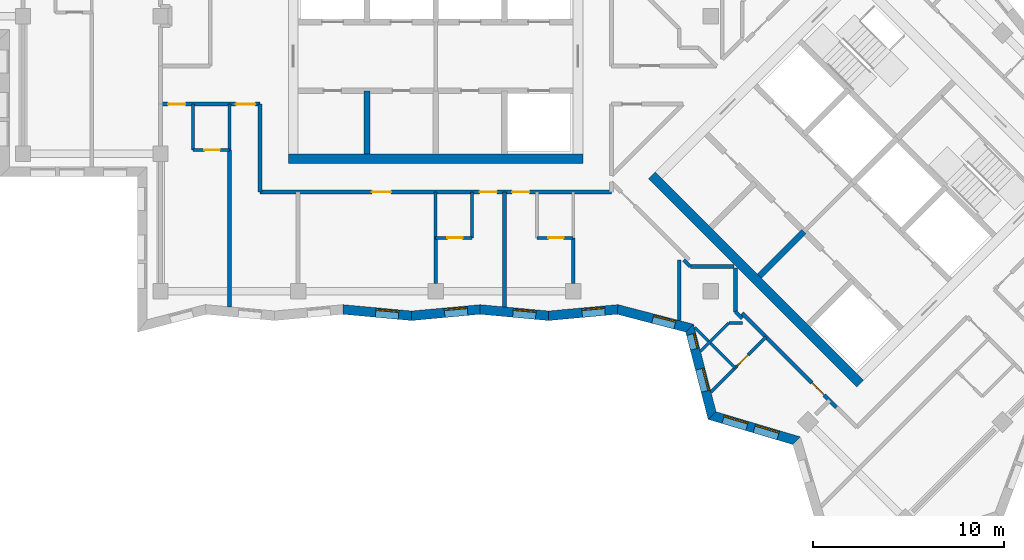
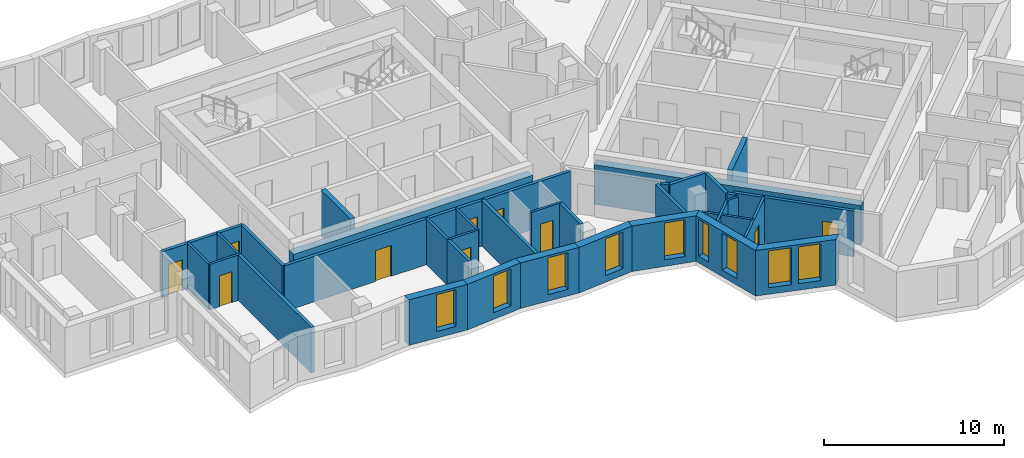
# One storey, part 3 of 11: 35 walls, 10 doors, 9 windows, 19 openings.
"""IFC4 building model written with IfcOpenShell, lengths in metres."""

import ifcopenshell
import ifcopenshell.guid

model = None  # the IFC model being written
_history = None  # IfcOwnerHistory: only IFC2X3 demands one
_inside = {}  # id of a spatial element -> (the spatial element, [elements in it])
_under = {}  # id of a project, library or spatial element -> (it, [spatial elements below it])
_declared = {}  # id of a project -> (the project, [libraries it declares])
_typed = {}  # id of a type object -> (the type object, [elements of that type])
_made_of = {}  # id of a material, layer set ... -> (it, [elements and type objects made of it])


def new_model(schema):
    """Start an empty IFC model of exactly this schema.

    Asked for "IFC4X3", IfcOpenShell would pick the latest addendum, in which some entities
    have other attributes; the version numbers below select the first issue.
    IFC2X3 requires an IfcOwnerHistory on every rooted entity: one is made here for all.
    """
    global model, _history
    if schema == "IFC4X3":
        model = ifcopenshell.file(schema_version=(4, 3, 0, 0))
    else:
        model = ifcopenshell.file(schema=schema)
    _inside.clear()
    _under.clear()
    _declared.clear()
    _typed.clear()
    _made_of.clear()
    _history = None
    if model.schema == "IFC2X3":
        org = make("IfcOrganization", Name="unknown")
        user = make(
            "IfcPersonAndOrganization",
            ThePerson=make("IfcPerson", FamilyName="unknown"),
            TheOrganization=org,
        )
        app = make(
            "IfcApplication",
            ApplicationDeveloper=org,
            Version="unknown",
            ApplicationFullName="unknown",
            ApplicationIdentifier="unknown",
        )
        _history = make(
            "IfcOwnerHistory",
            OwningUser=user,
            OwningApplication=app,
            ChangeAction="ADDED",
            CreationDate=0,
        )
    return model


def make(cls, **values):
    """One entity of the class cls with the attributes given. An attribute that is None is left unset."""
    return model.create_entity(
        cls, **{name: value for name, value in values.items() if value is not None}
    )


def rooted(cls, **values):
    """An entity with a GlobalId (a new one), such as an element, a storey or a relation."""
    return make(cls, GlobalId=ifcopenshell.guid.new(), OwnerHistory=_history, **values)


def si_unit(unit_type, name, prefix=None):
    """IfcSIUnit, for example si_unit("LENGTHUNIT", "METRE", prefix="MILLI")."""
    return make("IfcSIUnit", UnitType=unit_type, Prefix=prefix, Name=name)


def assignment(units):
    """IfcUnitAssignment: the units of a project."""
    return None if units is None else make("IfcUnitAssignment", Units=units)


def point(xyz):
    """IfcCartesianPoint."""
    return None if xyz is None else make("IfcCartesianPoint", Coordinates=xyz)


def direction(xyz):
    """IfcDirection."""
    return None if xyz is None else make("IfcDirection", DirectionRatios=xyz)


def frame(location, z_axis=None, x_axis=None):
    """IfcAxis2Placement3D, a coordinate frame: its origin and axes. An axis left out is left unset."""
    return make(
        "IfcAxis2Placement3D",
        Location=point(location),
        Axis=direction(z_axis),
        RefDirection=direction(x_axis),
    )


def frame_2d(location, x_axis=None):
    """IfcAxis2Placement2D, a coordinate frame in the plane: its origin and x axis."""
    return make(
        "IfcAxis2Placement2D", Location=point(location), RefDirection=direction(x_axis)
    )


def origin():
    """The frame at (0, 0, 0) with its axes left unset."""
    return frame((0.0, 0.0, 0.0))


def place(relative_to, where):
    """IfcLocalPlacement: puts the frame where relative to a parent placement (None: the world)."""
    return make(
        "IfcLocalPlacement", PlacementRelTo=relative_to, RelativePlacement=where
    )


def context(
    kind, dimensions, precision=None, world=None, true_north=None, identifier=None
):
    """IfcGeometricRepresentationContext, for example the 3D "Model" context."""
    return make(
        "IfcGeometricRepresentationContext",
        ContextIdentifier=identifier,
        ContextType=kind,
        CoordinateSpaceDimension=dimensions,
        Precision=precision,
        WorldCoordinateSystem=world,
        TrueNorth=true_north,
    )


def subcontext(parent, identifier, kind, view, scale=None):
    """IfcGeometricRepresentationSubContext, for example "Body" below "Model"."""
    return make(
        "IfcGeometricRepresentationSubContext",
        ContextIdentifier=identifier,
        ContextType=kind,
        ParentContext=parent,
        TargetScale=scale,
        TargetView=view,
    )


def project(units=None, contexts=None):
    """IfcProject with its units and contexts."""
    return rooted(
        "IfcProject",
        Name="project",
        RepresentationContexts=contexts,
        UnitsInContext=assignment(units),
    )


def spatial(cls, under=None, at=None, **own):
    """A site, building, storey or space (cls), placed at a placement, below another one or the project."""
    s = rooted(cls, ObjectPlacement=at, **own)
    if under is not None:
        _under.setdefault(under.id(), (under, []))[1].append(s)
    return s


def polyline(points):
    """IfcPolyline through the points."""
    return make("IfcPolyline", Points=[point(p) for p in points])


def profile(cls, at=None, kind="AREA", **sizes):
    """A parametric profile (cls). Its sizes go by their IFC names, for example OverallWidth=200.0."""
    return make(cls, ProfileType=kind, Position=at, **sizes)


def rectangle(**sizes):
    """IfcRectangleProfileDef."""
    return profile("IfcRectangleProfileDef", **sizes)


def outline(outer, holes=None, kind="AREA"):
    """IfcArbitraryClosedProfileDef: a profile drawn as a closed curve; with holes, ...WithVoids."""
    if holes is None:
        return make("IfcArbitraryClosedProfileDef", ProfileType=kind, OuterCurve=outer)
    return make(
        "IfcArbitraryProfileDefWithVoids",
        ProfileType=kind,
        OuterCurve=outer,
        InnerCurves=holes,
    )


def extrude(swept, where, along, depth):
    """IfcExtrudedAreaSolid: the profile swept, set in the frame where, extruded along a direction by depth."""
    return make(
        "IfcExtrudedAreaSolid",
        SweptArea=swept,
        Position=where,
        ExtrudedDirection=direction(along),
        Depth=depth,
    )


def shape(context_of_items, identifier, shape_type, items):
    """IfcShapeRepresentation: the items that make up one representation, for example the "Body"."""
    return make(
        "IfcShapeRepresentation",
        ContextOfItems=context_of_items,
        RepresentationIdentifier=identifier,
        RepresentationType=shape_type,
        Items=items,
    )


def material(Name=None, Category=None):
    """IfcMaterial."""
    return make("IfcMaterial", Name=Name, Category=Category)


def layer(
    of_material, thickness, ventilated=None, Name=None, Category=None, Priority=None
):
    """IfcMaterialLayer: one layer of a wall or slab, of a material (None: an air gap)."""
    return make(
        "IfcMaterialLayer",
        Material=of_material,
        LayerThickness=thickness,
        IsVentilated=ventilated,
        Name=Name,
        Category=Category,
        Priority=Priority,
    )


def layer_set(layers, Name=None):
    """IfcMaterialLayerSet."""
    return make("IfcMaterialLayerSet", MaterialLayers=layers, LayerSetName=Name)


def made_of(thing, what):
    """Note that an element or type object is made of a material, layer set ...; save() writes the relation."""
    if what is not None:
        _made_of.setdefault(what.id(), (what, []))[1].append(thing)
    return thing


def type_object(cls, material=None, **own):
    """A type object (cls), such as IfcWallType, which elements share."""
    return made_of(rooted(cls, **own), material)


def element(
    cls,
    number,
    at=None,
    inside=None,
    cuts=None,
    type_object=None,
    material=None,
    context=None,
    identifier="Body",
    shape_type=None,
    held_by="IfcProductDefinitionShape",
    body=None,
    shapes=None,
    **own,
):
    """One element of the class cls, such as IfcWall. Its Tag is "e" and its number.

    at: its placement. inside: the storey or other place that contains it. cuts: it is an
    opening in that element (IfcRelVoidsElement). A single representation is given by context,
    identifier, shape_type and body (its items); several are given by shapes. held_by: the class
    of the entity that holds the representations. save() writes the other relations.
    """
    e = rooted(cls, Tag="e%d" % number, ObjectPlacement=at, **own)
    if body is not None:
        shapes = [shape(context, identifier, shape_type, body)]
    if shapes is not None:
        e.Representation = make(held_by, Representations=shapes)
    if inside is not None:
        _inside.setdefault(inside.id(), (inside, []))[1].append(e)
    if cuts is not None:
        rooted(
            "IfcRelVoidsElement", RelatingBuildingElement=cuts, RelatedOpeningElement=e
        )
    if type_object is not None:
        _typed.setdefault(type_object.id(), (type_object, []))[1].append(e)
    return made_of(e, material)


def fill(opening, filler):
    """IfcRelFillsElement: the door or window that sits in an opening."""
    return rooted(
        "IfcRelFillsElement",
        RelatingOpeningElement=opening,
        RelatedBuildingElement=filler,
    )


def aggregate(whole, parts):
    """IfcRelAggregates: a whole, such as a stair, and the parts it consists of."""
    return rooted("IfcRelAggregates", RelatingObject=whole, RelatedObjects=parts)


def save(model, path):
    """Write the relations noted so far, then the file.

    IfcRelAggregates (storeys below a building ...), IfcRelContainedInSpatialStructure (elements
    in a storey), IfcRelDefinesByType, IfcRelAssociatesMaterial and IfcRelDeclares: one each for
    every whole, place, type object, material and project.
    """
    for whole, parts in _under.values():
        aggregate(whole, parts)
    for where, things in _inside.values():
        rooted(
            "IfcRelContainedInSpatialStructure",
            RelatedElements=things,
            RelatingStructure=where,
        )
    for kind, things in _typed.values():
        rooted("IfcRelDefinesByType", RelatedObjects=things, RelatingType=kind)
    for what, things in _made_of.values():
        rooted("IfcRelAssociatesMaterial", RelatedObjects=things, RelatingMaterial=what)
    for by, libraries in _declared.values():
        rooted("IfcRelDeclares", RelatingContext=by, RelatedDefinitions=libraries)
    model.write(path)


model = new_model("IFC4")

# Units and contexts
model_context = context("Model", 3, precision=1e-05, world=origin(), true_north=direction((0.0, 1.0)))
body_context = subcontext(model_context, "Body", "Model", "MODEL_VIEW")
ifc_project = project(units=[si_unit("LENGTHUNIT", "METRE"), si_unit("AREAUNIT", "SQUARE_METRE"), si_unit("VOLUMEUNIT", "CUBIC_METRE"), si_unit("PLANEANGLEUNIT", "RADIAN"), si_unit("MASSUNIT", "GRAM", prefix="KILO")], contexts=[model_context])

# Site, building, storey
site_placement = place(None, origin())
site = spatial("IfcSite", under=ifc_project, at=site_placement, CompositionType="ELEMENT")
building_placement = place(site_placement, origin())
building = spatial("IfcBuilding", under=site, at=building_placement, Name="Windrow Commons", CompositionType="ELEMENT")
storey_placement = place(building_placement, frame((0.0, 0.0, 193.0)))
storey = spatial("IfcBuildingStorey", under=building, at=storey_placement, Name="L52", CompositionType="ELEMENT", Elevation=193.0)

# Wall, opening, window
ifc_material_1 = material(Name="Brick masonry, red clay brick", Category="masonry")
ifc_layer_1 = layer(ifc_material_1, 0.5)
ifc_layer_set_1 = layer_set([ifc_layer_1], Name="Brick facade wall 500")
wall_type_1 = type_object("IfcWallType", Name="Brick facade wall 500", PredefinedType="SOLIDWALL", material=ifc_layer_set_1)
wall_1_placement = place(storey_placement, frame((59.9572, 42.2511, 0.0), z_axis=(0.0, 0.0, 1.0), x_axis=(0.9957917474, -0.0916449443, 0.0)))
wall_1 = element("IfcWall", 1, at=wall_1_placement, inside=storey, type_object=wall_type_1, Name="Brick facade wall L52 43", PredefinedType="SOLIDWALL", context=body_context, shape_type="SweptSolid", body=[
    extrude(outline(polyline([(0.023, -0.25), (3.6239, -0.25), (3.5779, 0.25), (-0.023, 0.25), (0.023, -0.25)])), origin(), (0.0, 0.0, 1.0), 3.1),
])
opening_1_placement = place(wall_1_placement, frame((1.713, 0.0, 0.45)))
opening_1 = element("IfcOpeningElement", 2, at=opening_1_placement, cuts=wall_1, Name="Opening W7E", PredefinedType="OPENING", context=body_context, shape_type="SweptSolid", body=[
    extrude(rectangle(XDim=1.2, YDim=2.5, at=frame_2d((0.6, 1.25))), frame((0.0, 0.26, 0.0), z_axis=(0.0, -1.0, 0.0), x_axis=(1.0, 0.0, 0.0)), (0.0, 0.0, 1.0), 0.52),
])
ifc_material_2 = material(Name="Clear float glass in anodised aluminium frame", Category="aluminium")
window_type_1 = type_object("IfcWindowType", Name="Window W7 notch 1200x2500", PartitioningType="SINGLE_PANEL", PredefinedType="WINDOW", material=ifc_material_2)
window_1_placement = place(opening_1_placement, origin())
window_1 = element("IfcWindow", 3, at=window_1_placement, inside=storey, type_object=window_type_1, Name="Window L52 43.1", OverallHeight=2.5, OverallWidth=1.2, PartitioningType="SINGLE_PANEL", PredefinedType="WINDOW", context=body_context, shape_type="SweptSolid", body=[
    extrude(rectangle(XDim=1.2, YDim=2.5, at=frame_2d((0.6, 1.25))), frame((0.0, 0.18, 0.0), z_axis=(0.0, -1.0, 0.0), x_axis=(1.0, 0.0, 0.0)), (0.0, 0.0, 1.0), 0.06),
])
fill(opening_1, window_1)

wall_2_placement = place(storey_placement, frame((63.5429, 41.9211, 0.0), z_axis=(0.0, 0.0, 1.0), x_axis=(0.9957919806, 0.09164241, 0.0)))
wall_2 = element("IfcWall", 4, at=wall_2_placement, inside=storey, type_object=wall_type_1, Name="Brick facade wall L52 44", PredefinedType="SOLIDWALL", context=body_context, shape_type="SweptSolid", body=[
    extrude(outline(polyline([(-0.023, -0.25), (3.5779, -0.25), (3.6239, 0.25), (0.023, 0.25), (-0.023, -0.25)])), origin(), (0.0, 0.0, 1.0), 3.1),
])
opening_2_placement = place(wall_2_placement, frame((1.7316, 0.0, 0.45)))
opening_2 = element("IfcOpeningElement", 5, at=opening_2_placement, cuts=wall_2, Name="Opening W7E", PredefinedType="OPENING", context=body_context, shape_type="SweptSolid", body=[
    extrude(rectangle(XDim=1.2, YDim=2.5, at=frame_2d((0.6, 1.25))), frame((0.0, 0.26, 0.0), z_axis=(0.0, -1.0, 0.0), x_axis=(1.0, 0.0, 0.0)), (0.0, 0.0, 1.0), 0.52),
])
window_2_placement = place(opening_2_placement, origin())
window_2 = element("IfcWindow", 6, at=window_2_placement, inside=storey, type_object=window_type_1, Name="Window L52 44.1", OverallHeight=2.5, OverallWidth=1.2, PartitioningType="SINGLE_PANEL", PredefinedType="WINDOW", context=body_context, shape_type="SweptSolid", body=[
    extrude(rectangle(XDim=1.2, YDim=2.5, at=frame_2d((0.6, 1.25))), frame((0.0, 0.18, 0.0), z_axis=(0.0, -1.0, 0.0), x_axis=(1.0, 0.0, 0.0)), (0.0, 0.0, 1.0), 0.06),
])
fill(opening_2, window_2)

wall_3_placement = place(storey_placement, frame((67.1287, 42.2511, 0.0), z_axis=(0.0, 0.0, 1.0), x_axis=(0.9957917474, -0.0916449443, 0.0)))
wall_3 = element("IfcWall", 7, at=wall_3_placement, inside=storey, type_object=wall_type_1, Name="Brick facade wall L52 45", PredefinedType="SOLIDWALL", context=body_context, shape_type="SweptSolid", body=[
    extrude(outline(polyline([(0.023, -0.25), (3.6239, -0.25), (3.5779, 0.25), (-0.023, 0.25), (0.023, -0.25)])), origin(), (0.0, 0.0, 1.0), 3.1),
])
opening_3_placement = place(wall_3_placement, frame((1.7273, 0.0, 0.45)))
opening_3 = element("IfcOpeningElement", 8, at=opening_3_placement, cuts=wall_3, Name="Opening W7E", PredefinedType="OPENING", context=body_context, shape_type="SweptSolid", body=[
    extrude(rectangle(XDim=1.2, YDim=2.5, at=frame_2d((0.6, 1.25))), frame((0.0, 0.26, 0.0), z_axis=(0.0, -1.0, 0.0), x_axis=(1.0, 0.0, 0.0)), (0.0, 0.0, 1.0), 0.52),
])
window_3_placement = place(opening_3_placement, origin())
window_3 = element("IfcWindow", 9, at=window_3_placement, inside=storey, type_object=window_type_1, Name="Window L52 45.1", OverallHeight=2.5, OverallWidth=1.2, PartitioningType="SINGLE_PANEL", PredefinedType="WINDOW", context=body_context, shape_type="SweptSolid", body=[
    extrude(rectangle(XDim=1.2, YDim=2.5, at=frame_2d((0.6, 1.25))), frame((0.0, 0.18, 0.0), z_axis=(0.0, -1.0, 0.0), x_axis=(1.0, 0.0, 0.0)), (0.0, 0.0, 1.0), 0.06),
])
fill(opening_3, window_3)

wall_4_placement = place(storey_placement, frame((70.7144, 41.9211, 0.0), z_axis=(0.0, 0.0, 1.0), x_axis=(0.9957941627, 0.0916186959, 0.0)))
wall_4 = element("IfcWall", 10, at=wall_4_placement, inside=storey, type_object=wall_type_1, Name="Brick facade wall L52 46", PredefinedType="SOLIDWALL", context=body_context, shape_type="SweptSolid", body=[
    extrude(outline(polyline([(-0.023, -0.25), (3.5779, -0.25), (3.6651, 0.25), (0.023, 0.25), (-0.023, -0.25)])), origin(), (0.0, 0.0, 1.0), 3.1),
])
opening_4_placement = place(wall_4_placement, frame((1.7563, 0.0, 0.45)))
opening_4 = element("IfcOpeningElement", 11, at=opening_4_placement, cuts=wall_4, Name="Opening W7E", PredefinedType="OPENING", context=body_context, shape_type="SweptSolid", body=[
    extrude(rectangle(XDim=1.2, YDim=2.5, at=frame_2d((0.6, 1.25))), frame((0.0, 0.26, 0.0), z_axis=(0.0, -1.0, 0.0), x_axis=(1.0, 0.0, 0.0)), (0.0, 0.0, 1.0), 0.52),
])
window_4_placement = place(opening_4_placement, origin())
window_4 = element("IfcWindow", 12, at=window_4_placement, inside=storey, type_object=window_type_1, Name="Window L52 46.1", OverallHeight=2.5, OverallWidth=1.2, PartitioningType="SINGLE_PANEL", PredefinedType="WINDOW", context=body_context, shape_type="SweptSolid", body=[
    extrude(rectangle(XDim=1.2, YDim=2.5, at=frame_2d((0.6, 1.25))), frame((0.0, 0.18, 0.0), z_axis=(0.0, -1.0, 0.0), x_axis=(1.0, 0.0, 0.0)), (0.0, 0.0, 1.0), 0.06),
])
fill(opening_4, window_4)

wall_5_placement = place(storey_placement, frame((74.3207, 42.2529, 0.0), z_axis=(0.0, 0.0, 1.0), x_axis=(0.9679758757, -0.2510432315, 0.0)))
wall_5 = element("IfcWall", 13, at=wall_5_placement, inside=storey, type_object=wall_type_1, Name="Brick facade wall L52 47", PredefinedType="SOLIDWALL", context=body_context, shape_type="SweptSolid", body=[
    extrude(outline(polyline([(0.0436, -0.25), (3.748, -0.25), (4.0426, 0.25), (-0.0436, 0.25), (0.0436, -0.25)])), origin(), (0.0, 0.0, 1.0), 3.1),
])
opening_5_placement = place(wall_5_placement, frame((1.9085, 0.0, 0.45)))
opening_5 = element("IfcOpeningElement", 14, at=opening_5_placement, cuts=wall_5, Name="Opening W7E", PredefinedType="OPENING", context=body_context, shape_type="SweptSolid", body=[
    extrude(rectangle(XDim=1.2, YDim=2.5, at=frame_2d((0.6, 1.25))), frame((0.0, 0.26, 0.0), z_axis=(0.0, -1.0, 0.0), x_axis=(1.0, 0.0, 0.0)), (0.0, 0.0, 1.0), 0.52),
])
window_5_placement = place(opening_5_placement, origin())
window_5 = element("IfcWindow", 15, at=window_5_placement, inside=storey, type_object=window_type_1, Name="Window L52 47.1", OverallHeight=2.5, OverallWidth=1.2, PartitioningType="SINGLE_PANEL", PredefinedType="WINDOW", context=body_context, shape_type="SweptSolid", body=[
    extrude(rectangle(XDim=1.2, YDim=2.5, at=frame_2d((0.6, 1.25))), frame((0.0, 0.18, 0.0), z_axis=(0.0, -1.0, 0.0), x_axis=(1.0, 0.0, 0.0)), (0.0, 0.0, 1.0), 0.06),
])
fill(opening_5, window_5)

# Wall, openings, windows
wall_6_placement = place(storey_placement, frame((78.0913, 41.275, 0.0), z_axis=(0.0, 0.0, 1.0), x_axis=(0.2493551668, -0.9684121028, 0.0)))
wall_6 = element("IfcWall", 16, at=wall_6_placement, inside=storey, type_object=wall_type_1, Name="Brick facade wall L52 48", PredefinedType="SOLIDWALL", context=body_context, shape_type="SweptSolid", body=[
    extrude(outline(polyline([(0.1473, -0.25), (4.8676, -0.25), (4.5848, 0.25), (-0.1473, 0.25), (0.1473, -0.25)])), origin(), (0.0, 0.0, 1.0), 3.1),
])
opening_6_placement = place(wall_6_placement, frame((2.2072, 0.0, 0.45)))
opening_6 = element("IfcOpeningElement", 17, at=opening_6_placement, cuts=wall_6, Name="Opening W7E", PredefinedType="OPENING", context=body_context, shape_type="SweptSolid", body=[
    extrude(rectangle(XDim=1.2, YDim=2.5, at=frame_2d((0.6, 1.25))), frame((0.0, 0.26, 0.0), z_axis=(0.0, -1.0, 0.0), x_axis=(1.0, 0.0, 0.0)), (0.0, 0.0, 1.0), 0.52),
])
opening_7_placement = place(wall_6_placement, frame((0.331, 0.0, 0.45)))
opening_7 = element("IfcOpeningElement", 18, at=opening_7_placement, cuts=wall_6, Name="Opening W1N", PredefinedType="OPENING", context=body_context, shape_type="SweptSolid", body=[
    extrude(rectangle(XDim=0.8, YDim=2.5, at=frame_2d((0.4, 1.25))), frame((0.0, 0.26, 0.0), z_axis=(0.0, -1.0, 0.0), x_axis=(1.0, 0.0, 0.0)), (0.0, 0.0, 1.0), 0.52),
])
ifc_material_3 = material(Name="Clear float glass in anodised aluminium frame", Category="aluminium")
window_type_2 = type_object("IfcWindowType", Name="Window W1N slit 800x2500", PartitioningType="SINGLE_PANEL", PredefinedType="WINDOW", material=ifc_material_3)
window_6_placement = place(opening_7_placement, origin())
window_6 = element("IfcWindow", 19, at=window_6_placement, inside=storey, type_object=window_type_2, Name="Window L52 48.1A", OverallHeight=2.5, OverallWidth=0.8, PartitioningType="SINGLE_PANEL", PredefinedType="WINDOW", context=body_context, shape_type="SweptSolid", body=[
    extrude(rectangle(XDim=0.8, YDim=2.5, at=frame_2d((0.4, 1.25))), frame((0.0, 0.18, 0.0), z_axis=(0.0, -1.0, 0.0), x_axis=(1.0, 0.0, 0.0)), (0.0, 0.0, 1.0), 0.06),
])
fill(opening_7, window_6)
window_7_placement = place(opening_6_placement, origin())
window_7 = element("IfcWindow", 20, at=window_7_placement, inside=storey, type_object=window_type_1, Name="Window L52 48.2", OverallHeight=2.5, OverallWidth=1.2, PartitioningType="SINGLE_PANEL", PredefinedType="WINDOW", context=body_context, shape_type="SweptSolid", body=[
    extrude(rectangle(XDim=1.2, YDim=2.5, at=frame_2d((0.6, 1.25))), frame((0.0, 0.18, 0.0), z_axis=(0.0, -1.0, 0.0), x_axis=(1.0, 0.0, 0.0)), (0.0, 0.0, 1.0), 0.06),
])
fill(opening_6, window_7)

wall_7_placement = place(storey_placement, frame((79.2698, 36.6981, 0.0), z_axis=(0.0, 0.0, 1.0), x_axis=(0.958448341, -0.2852661522, 0.0)))
wall_7 = element("IfcWall", 21, at=wall_7_placement, inside=storey, type_object=wall_type_1, Name="Brick facade wall L52 49", PredefinedType="SOLIDWALL", context=body_context, shape_type="SweptSolid", body=[
    extrude(outline(polyline([(-0.1414, -0.25), (4.4804, -0.25), (4.751, 0.25), (0.1414, 0.25), (-0.1414, -0.25)])), origin(), (0.0, 0.0, 1.0), 3.1),
])
opening_8_placement = place(wall_7_placement, frame((0.6123, 0.0, 0.45)))
opening_8 = element("IfcOpeningElement", 22, at=opening_8_placement, cuts=wall_7, Name="Opening W1Q", PredefinedType="OPENING", context=body_context, shape_type="SweptSolid", body=[
    extrude(rectangle(XDim=1.3, YDim=2.5, at=frame_2d((0.65, 1.25))), frame((0.0, 0.26, 0.0), z_axis=(0.0, -1.0, 0.0), x_axis=(1.0, 0.0, 0.0)), (0.0, 0.0, 1.0), 0.52),
])
opening_9_placement = place(wall_7_placement, frame((2.3123, 0.0, 0.45)))
opening_9 = element("IfcOpeningElement", 23, at=opening_9_placement, cuts=wall_7, Name="Opening W1Q", PredefinedType="OPENING", context=body_context, shape_type="SweptSolid", body=[
    extrude(rectangle(XDim=1.3, YDim=2.5, at=frame_2d((0.65, 1.25))), frame((0.0, 0.26, 0.0), z_axis=(0.0, -1.0, 0.0), x_axis=(1.0, 0.0, 0.0)), (0.0, 0.0, 1.0), 0.52),
])
ifc_material_4 = material(Name="Clear float glass in anodised aluminium frame", Category="aluminium")
window_type_3 = type_object("IfcWindowType", Name="Window W1Q pair 1300x2500", PartitioningType="SINGLE_PANEL", PredefinedType="WINDOW", material=ifc_material_4)
window_8_placement = place(opening_8_placement, origin())
window_8 = element("IfcWindow", 24, at=window_8_placement, inside=storey, type_object=window_type_3, Name="Window L52 49.1A", OverallHeight=2.5, OverallWidth=1.3, PartitioningType="SINGLE_PANEL", PredefinedType="WINDOW", context=body_context, shape_type="SweptSolid", body=[
    extrude(rectangle(XDim=1.3, YDim=2.5, at=frame_2d((0.65, 1.25))), frame((0.0, 0.18, 0.0), z_axis=(0.0, -1.0, 0.0), x_axis=(1.0, 0.0, 0.0)), (0.0, 0.0, 1.0), 0.06),
])
fill(opening_8, window_8)
window_9_placement = place(opening_9_placement, origin())
window_9 = element("IfcWindow", 25, at=window_9_placement, inside=storey, type_object=window_type_3, Name="Window L52 49.1B", OverallHeight=2.5, OverallWidth=1.3, PartitioningType="SINGLE_PANEL", PredefinedType="WINDOW", context=body_context, shape_type="SweptSolid", body=[
    extrude(rectangle(XDim=1.3, YDim=2.5, at=frame_2d((0.65, 1.25))), frame((0.0, 0.18, 0.0), z_axis=(0.0, -1.0, 0.0), x_axis=(1.0, 0.0, 0.0)), (0.0, 0.0, 1.0), 0.06),
])
fill(opening_9, window_9)

# Wall, openings, doors
ifc_material_5 = material(Name="Blockwork partition", Category="masonry")
ifc_layer_2 = layer(ifc_material_5, 0.2)
ifc_layer_set_2 = layer_set([ifc_layer_2], Name="IW-CORRIDOR-200")
wall_type_2 = type_object("IfcWallType", Name="IW-CORRIDOR-200", PredefinedType="PARTITIONING", material=ifc_layer_set_2)
wall_8_placement = place(storey_placement, frame((55.6, 48.4, 0.0), z_axis=(0.0, 0.0, 1.0), x_axis=(1.0, 0.0, 0.0)))
wall_8 = element("IfcWall", 26, at=wall_8_placement, inside=storey, type_object=wall_type_2, Name="W-L52-W001", PredefinedType="PARTITIONING", context=body_context, shape_type="SweptSolid", body=[
    extrude(rectangle(XDim=18.4, YDim=0.2, at=frame_2d((9.2, 0.0))), origin(), (0.0, 0.0, 1.0), 3.1),
])
opening_10_placement = place(wall_8_placement, frame((5.8625, 0.0, 0.0)))
opening_10 = element("IfcOpeningElement", 27, at=opening_10_placement, cuts=wall_8, Name="Opening D310F", PredefinedType="OPENING", context=body_context, shape_type="SweptSolid", body=[
    extrude(rectangle(XDim=1.0, YDim=2.1, at=frame_2d((0.5, 1.05))), frame((0.0, 0.11, 0.0), z_axis=(0.0, -1.0, 0.0), x_axis=(1.0, 0.0, 0.0)), (0.0, 0.0, 1.0), 0.22),
])
opening_11_placement = place(wall_8_placement, frame((11.5, 0.0, 0.0)))
opening_11 = element("IfcOpeningElement", 28, at=opening_11_placement, cuts=wall_8, Name="Opening D109S", PredefinedType="OPENING", context=body_context, shape_type="SweptSolid", body=[
    extrude(rectangle(XDim=0.9, YDim=2.1, at=frame_2d((0.45, 1.05))), frame((0.0, 0.11, 0.0), z_axis=(0.0, -1.0, 0.0), x_axis=(1.0, 0.0, 0.0)), (0.0, 0.0, 1.0), 0.22),
])
opening_12_placement = place(wall_8_placement, frame((13.2, 0.0, 0.0)))
opening_12 = element("IfcOpeningElement", 29, at=opening_12_placement, cuts=wall_8, Name="Opening D109S", PredefinedType="OPENING", context=body_context, shape_type="SweptSolid", body=[
    extrude(rectangle(XDim=0.9, YDim=2.1, at=frame_2d((0.45, 1.05))), frame((0.0, 0.11, 0.0), z_axis=(0.0, -1.0, 0.0), x_axis=(1.0, 0.0, 0.0)), (0.0, 0.0, 1.0), 0.22),
])
ifc_material_6 = material(Name="Timber door leaf", Category="wood")
door_type_1 = type_object("IfcDoorType", Name="DT-AMENITY-1000", OperationType="SINGLE_SWING_LEFT", PredefinedType="DOOR", material=ifc_material_6)
door_1_placement = place(opening_10_placement, origin())
door_1 = element("IfcDoor", 30, at=door_1_placement, inside=storey, type_object=door_type_1, Name="D-L52-D025", OperationType="SINGLE_SWING_LEFT", OverallHeight=2.1, OverallWidth=1.0, PredefinedType="DOOR", context=body_context, shape_type="SweptSolid", body=[
    extrude(rectangle(XDim=1.0, YDim=2.1, at=frame_2d((0.5, 1.05))), frame((0.0, 0.025, 0.0), z_axis=(0.0, -1.0, 0.0), x_axis=(1.0, 0.0, 0.0)), (0.0, 0.0, 1.0), 0.05),
])
fill(opening_10, door_1)
ifc_material_7 = material(Name="Timber door leaf", Category="wood")
door_type_2 = type_object("IfcDoorType", Name="DT-BEDROOM-900", OperationType="SINGLE_SWING_LEFT", PredefinedType="DOOR", material=ifc_material_7)
door_2_placement = place(opening_11_placement, origin())
door_2 = element("IfcDoor", 31, at=door_2_placement, inside=storey, type_object=door_type_2, Name="D-L52-D026", OperationType="SINGLE_SWING_LEFT", OverallHeight=2.1, OverallWidth=0.9, PredefinedType="DOOR", context=body_context, shape_type="SweptSolid", body=[
    extrude(rectangle(XDim=0.9, YDim=2.1, at=frame_2d((0.45, 1.05))), frame((0.0, 0.025, 0.0), z_axis=(0.0, -1.0, 0.0), x_axis=(1.0, 0.0, 0.0)), (0.0, 0.0, 1.0), 0.05),
])
fill(opening_11, door_2)
door_3_placement = place(opening_12_placement, origin())
door_3 = element("IfcDoor", 32, at=door_3_placement, inside=storey, type_object=door_type_2, Name="D-L52-D028", OperationType="SINGLE_SWING_RIGHT", OverallHeight=2.1, OverallWidth=0.9, PredefinedType="DOOR", context=body_context, shape_type="SweptSolid", body=[
    extrude(rectangle(XDim=0.9, YDim=2.1, at=frame_2d((0.45, 1.05))), frame((0.0, 0.025, 0.0), z_axis=(0.0, -1.0, 0.0), x_axis=(1.0, 0.0, 0.0)), (0.0, 0.0, 1.0), 0.05),
])
fill(opening_12, door_3)

# Wall, opening, door
wall_9_placement = place(storey_placement, frame((80.8487, 42.0607, 0.0), z_axis=(0.0, 0.0, 1.0), x_axis=(0.7071067812, -0.7071067812, 0.0)))
wall_9 = element("IfcWall", 33, at=wall_9_placement, inside=storey, type_object=wall_type_2, Name="W-L52-W016", PredefinedType="PARTITIONING", context=body_context, shape_type="SweptSolid", body=[
    extrude(rectangle(XDim=6.9636, YDim=0.2, at=frame_2d((3.4818, 0.0))), origin(), (0.0, 0.0, 1.0), 3.1),
])
opening_13_placement = place(wall_9_placement, frame((5.1589, 0.0, 0.0)))
opening_13 = element("IfcOpeningElement", 34, at=opening_13_placement, cuts=wall_9, Name="Opening D109S", PredefinedType="OPENING", context=body_context, shape_type="SweptSolid", body=[
    extrude(rectangle(XDim=0.9, YDim=2.1, at=frame_2d((0.45, 1.05))), frame((0.0, 0.11, 0.0), z_axis=(0.0, -1.0, 0.0), x_axis=(1.0, 0.0, 0.0)), (0.0, 0.0, 1.0), 0.22),
])
door_4_placement = place(opening_13_placement, origin())
door_4 = element("IfcDoor", 35, at=door_4_placement, inside=storey, type_object=door_type_2, Name="D-L52-D036", OperationType="SINGLE_SWING_RIGHT", OverallHeight=2.1, OverallWidth=0.9, PredefinedType="DOOR", context=body_context, shape_type="SweptSolid", body=[
    extrude(rectangle(XDim=0.9, YDim=2.1, at=frame_2d((0.45, 1.05))), frame((0.0, 0.025, 0.0), z_axis=(0.0, -1.0, 0.0), x_axis=(1.0, 0.0, 0.0)), (0.0, 0.0, 1.0), 0.05),
])
fill(opening_13, door_4)

# Wall, openings, doors
wall_10_placement = place(storey_placement, frame((50.4, 53.0, 0.0), z_axis=(0.0, 0.0, 1.0), x_axis=(1.0, 0.0, 0.0)))
wall_10 = element("IfcWall", 36, at=wall_10_placement, inside=storey, type_object=wall_type_2, Name="W-L52-W033", PredefinedType="PARTITIONING", context=body_context, shape_type="SweptSolid", body=[
    extrude(rectangle(XDim=5.2, YDim=0.2, at=frame_2d((2.6, 0.0))), origin(), (0.0, 0.0, 1.0), 3.1),
])
opening_14_placement = place(wall_10_placement, frame((0.4, 0.0, 0.0)))
opening_14 = element("IfcOpeningElement", 37, at=opening_14_placement, cuts=wall_10, Name="Opening D109S", PredefinedType="OPENING", context=body_context, shape_type="SweptSolid", body=[
    extrude(rectangle(XDim=0.9, YDim=2.1, at=frame_2d((0.45, 1.05))), frame((0.0, 0.11, 0.0), z_axis=(0.0, -1.0, 0.0), x_axis=(1.0, 0.0, 0.0)), (0.0, 0.0, 1.0), 0.22),
])
opening_15_placement = place(wall_10_placement, frame((3.9455, 0.0, 0.0)))
opening_15 = element("IfcOpeningElement", 38, at=opening_15_placement, cuts=wall_10, Name="Opening D310F", PredefinedType="OPENING", context=body_context, shape_type="SweptSolid", body=[
    extrude(rectangle(XDim=1.0, YDim=2.1, at=frame_2d((0.5, 1.05))), frame((0.0, 0.11, 0.0), z_axis=(0.0, -1.0, 0.0), x_axis=(1.0, 0.0, 0.0)), (0.0, 0.0, 1.0), 0.22),
])
door_5_placement = place(opening_15_placement, origin())
door_5 = element("IfcDoor", 39, at=door_5_placement, inside=storey, type_object=door_type_1, Name="D-L52-D024", OperationType="SINGLE_SWING_RIGHT", OverallHeight=2.1, OverallWidth=1.0, PredefinedType="DOOR", context=body_context, shape_type="SweptSolid", body=[
    extrude(rectangle(XDim=1.0, YDim=2.1, at=frame_2d((0.5, 1.05))), frame((0.0, 0.025, 0.0), z_axis=(0.0, -1.0, 0.0), x_axis=(1.0, 0.0, 0.0)), (0.0, 0.0, 1.0), 0.05),
])
fill(opening_15, door_5)
door_6_placement = place(opening_14_placement, origin())
door_6 = element("IfcDoor", 40, at=door_6_placement, inside=storey, type_object=door_type_2, Name="D-L52-D022", OperationType="SINGLE_SWING_LEFT", OverallHeight=2.1, OverallWidth=0.9, PredefinedType="DOOR", context=body_context, shape_type="SweptSolid", body=[
    extrude(rectangle(XDim=0.9, YDim=2.1, at=frame_2d((0.45, 1.05))), frame((0.0, 0.025, 0.0), z_axis=(0.0, -1.0, 0.0), x_axis=(1.0, 0.0, 0.0)), (0.0, 0.0, 1.0), 0.05),
])
fill(opening_14, door_6)

# Walls
wall_11_placement = place(storey_placement, frame((55.6, 48.4, 0.0), z_axis=(0.0, 0.0, 1.0), x_axis=(0.0, 1.0, 0.0)))
element("IfcWall", 41, at=wall_11_placement, inside=storey, type_object=wall_type_2, Name="W-L52-W043", PredefinedType="PARTITIONING", context=body_context, shape_type="SweptSolid", body=[
    extrude(rectangle(XDim=4.6, YDim=0.2, at=frame_2d((2.3, 0.0))), origin(), (0.0, 0.0, 1.0), 3.1),
])
for number, where, z_axis, x_axis, name in (
    (42, (78.132, 44.5, 0.0), (0.0, 0.0, 1.0), (1.0, 0.0, 0.0), "W-L52-W084"),
    (43, (80.5, 42.132, 0.0), (0.0, 0.0, 1.0), (0.0, 1.0, 0.0), "W-L52-W085"),
):
    element("IfcWall", number, at=place(storey_placement, frame(where, z_axis=z_axis, x_axis=x_axis)), inside=storey, type_object=wall_type_2, Name=name, PredefinedType="PARTITIONING", context=body_context, shape_type="SweptSolid", body=[
        extrude(rectangle(XDim=2.292, YDim=0.2, at=frame_2d((1.146, 0.0))), origin(), (0.0, 0.0, 1.0), 3.1),
    ])
for number, where, z_axis, x_axis, name in (
    (44, (77.7792, 44.8472, 0.0), (0.0, 0.0, 1.0), (0.7071067812, -0.7071067812, 0.0), "W-L52-W135"),
    (45, (80.4972, 42.1292, 0.0), (0.0, 0.0, 1.0), (0.7071067812, -0.7071067812, 0.0), "W-L52-W136"),
):
    element("IfcWall", number, at=place(storey_placement, frame(where, z_axis=z_axis, x_axis=x_axis)), inside=storey, type_object=wall_type_2, Name=name, PredefinedType="PARTITIONING", context=body_context, shape_type="SweptSolid", body=[
        extrude(rectangle(XDim=0.495, YDim=0.2, at=frame_2d((0.2475, 0.0))), origin(), (0.0, 0.0, 1.0), 3.1),
    ])

# Wall, opening, door
ifc_material_8 = material(Name="Blockwork partition", Category="masonry")
ifc_layer_3 = layer(ifc_material_8, 0.15)
ifc_layer_set_3 = layer_set([ifc_layer_3], Name="IW-ENSUITE-150")
wall_type_3 = type_object("IfcWallType", Name="IW-ENSUITE-150", PredefinedType="PARTITIONING", material=ifc_layer_set_3)
wall_12_placement = place(storey_placement, frame((79.2108, 37.9299, 0.0), z_axis=(0.0, 0.0, 1.0), x_axis=(0.7070945332, 0.707119029, 0.0)))
wall_12 = element("IfcWall", 46, at=wall_12_placement, inside=storey, type_object=wall_type_3, Name="W-L52-W046", PredefinedType="PARTITIONING", context=body_context, shape_type="SweptSolid", body=[
    extrude(rectangle(XDim=4.0823, YDim=0.15, at=frame_2d((2.0412, 0.0))), origin(), (0.0, 0.0, 1.0), 3.1),
])
opening_16_placement = place(wall_12_placement, frame((1.9419, 0.0, 0.0)))
opening_16 = element("IfcOpeningElement", 47, at=opening_16_placement, cuts=wall_12, Name="Opening D208N", PredefinedType="OPENING", context=body_context, shape_type="SweptSolid", body=[
    extrude(rectangle(XDim=0.8, YDim=2.1, at=frame_2d((0.4, 1.05))), frame((0.0, 0.085, 0.0), z_axis=(0.0, -1.0, 0.0), x_axis=(1.0, 0.0, 0.0)), (0.0, 0.0, 1.0), 0.17),
])
ifc_material_9 = material(Name="Timber door leaf", Category="wood")
door_type_3 = type_object("IfcDoorType", Name="DT-ENSUITE-800", OperationType="SINGLE_SWING_LEFT", PredefinedType="DOOR", material=ifc_material_9)
door_7_placement = place(opening_16_placement, origin())
door_7 = element("IfcDoor", 48, at=door_7_placement, inside=storey, type_object=door_type_3, Name="D-L52-D037", OperationType="SINGLE_SWING_RIGHT", OverallHeight=2.1, OverallWidth=0.8, PredefinedType="DOOR", context=body_context, shape_type="SweptSolid", body=[
    extrude(rectangle(XDim=0.8, YDim=2.1, at=frame_2d((0.4, 1.05))), frame((0.0, 0.025, 0.0), z_axis=(0.0, -1.0, 0.0), x_axis=(1.0, 0.0, 0.0)), (0.0, 0.0, 1.0), 0.05),
])
fill(opening_16, door_7)

# Walls
wall_13_placement = place(storey_placement, frame((78.3684, 41.3031, 0.0), z_axis=(0.0, 0.0, 1.0), x_axis=(0.7065867451, -0.7076264351, 0.0)))
element("IfcWall", 49, at=wall_13_placement, inside=storey, type_object=wall_type_3, Name="W-L52-W055", PredefinedType="PARTITIONING", context=body_context, shape_type="SweptSolid", body=[
    extrude(rectangle(XDim=2.9817, YDim=0.15, at=frame_2d((1.4909, 0.0))), origin(), (0.0, 0.0, 1.0), 3.1),
])
for number, where, z_axis, x_axis, name in (
    (50, (52.1, 50.6, 0.0), (0.0, 0.0, 1.0), (0.0, 1.0, 0.0), "W-L52-W066"),
    (51, (54.0, 50.6, 0.0), (0.0, 0.0, 1.0), (0.0, 1.0, 0.0), "W-L52-W067"),
    (52, (66.7, 46.0, 0.0), (0.0, 0.0, 1.0), (0.0, 1.0, 0.0), "W-L52-W069"),
    (53, (64.8, 46.0, 0.0), (0.0, 0.0, 1.0), (0.0, 1.0, 0.0), "W-L52-W070"),
):
    element("IfcWall", number, at=place(storey_placement, frame(where, z_axis=z_axis, x_axis=x_axis)), inside=storey, type_object=wall_type_3, Name=name, PredefinedType="PARTITIONING", context=body_context, shape_type="SweptSolid", body=[
        extrude(rectangle(XDim=2.4, YDim=0.15, at=frame_2d((1.2, 0.0))), origin(), (0.0, 0.0, 1.0), 3.1),
    ])
wall_14_placement = place(storey_placement, frame((78.6606, 40.0667, 0.0), z_axis=(0.0, 0.0, 1.0), x_axis=(0.7070829621, 0.7071305995, 0.0)))
element("IfcWall", 54, at=wall_14_placement, inside=storey, type_object=wall_type_3, Name="W-L52-W095", PredefinedType="PARTITIONING", context=body_context, shape_type="SweptSolid", body=[
    extrude(rectangle(XDim=2.0992, YDim=0.15, at=frame_2d((1.0496, 0.0))), origin(), (0.0, 0.0, 1.0), 3.1),
])

# Wall, opening, door
wall_15_placement = place(storey_placement, frame((64.8, 46.0, 0.0), z_axis=(0.0, 0.0, 1.0), x_axis=(1.0, 0.0, 0.0)))
wall_15 = element("IfcWall", 55, at=wall_15_placement, inside=storey, type_object=wall_type_3, Name="W-L52-W105", PredefinedType="PARTITIONING", context=body_context, shape_type="SweptSolid", body=[
    extrude(rectangle(XDim=1.9, YDim=0.15, at=frame_2d((0.95, 0.0))), origin(), (0.0, 0.0, 1.0), 3.1),
])
opening_17_placement = place(wall_15_placement, frame((0.6069, 0.0, 0.0)))
opening_17 = element("IfcOpeningElement", 56, at=opening_17_placement, cuts=wall_15, Name="Opening D208N", PredefinedType="OPENING", context=body_context, shape_type="SweptSolid", body=[
    extrude(rectangle(XDim=0.8, YDim=2.1, at=frame_2d((0.4, 1.05))), frame((0.0, 0.085, 0.0), z_axis=(0.0, -1.0, 0.0), x_axis=(1.0, 0.0, 0.0)), (0.0, 0.0, 1.0), 0.17),
])
door_8_placement = place(opening_17_placement, origin())
door_8 = element("IfcDoor", 57, at=door_8_placement, inside=storey, type_object=door_type_3, Name="D-L52-D027", OperationType="SINGLE_SWING_RIGHT", OverallHeight=2.1, OverallWidth=0.8, PredefinedType="DOOR", context=body_context, shape_type="SweptSolid", body=[
    extrude(rectangle(XDim=0.8, YDim=2.1, at=frame_2d((0.4, 1.05))), frame((0.0, 0.025, 0.0), z_axis=(0.0, -1.0, 0.0), x_axis=(1.0, 0.0, 0.0)), (0.0, 0.0, 1.0), 0.05),
])
fill(opening_17, door_8)

wall_16_placement = place(storey_placement, frame((70.1, 46.0, 0.0), z_axis=(0.0, 0.0, 1.0), x_axis=(1.0, 0.0, 0.0)))
wall_16 = element("IfcWall", 58, at=wall_16_placement, inside=storey, type_object=wall_type_3, Name="W-L52-W106", PredefinedType="PARTITIONING", context=body_context, shape_type="SweptSolid", body=[
    extrude(rectangle(XDim=1.9, YDim=0.15, at=frame_2d((0.95, 0.0))), origin(), (0.0, 0.0, 1.0), 3.1),
])
opening_18_placement = place(wall_16_placement, frame((0.5979, 0.0, 0.0)))
opening_18 = element("IfcOpeningElement", 59, at=opening_18_placement, cuts=wall_16, Name="Opening D208N", PredefinedType="OPENING", context=body_context, shape_type="SweptSolid", body=[
    extrude(rectangle(XDim=0.8, YDim=2.1, at=frame_2d((0.4, 1.05))), frame((0.0, 0.085, 0.0), z_axis=(0.0, -1.0, 0.0), x_axis=(1.0, 0.0, 0.0)), (0.0, 0.0, 1.0), 0.17),
])
door_9_placement = place(opening_18_placement, origin())
door_9 = element("IfcDoor", 60, at=door_9_placement, inside=storey, type_object=door_type_3, Name="D-L52-D029", OperationType="SINGLE_SWING_RIGHT", OverallHeight=2.1, OverallWidth=0.8, PredefinedType="DOOR", context=body_context, shape_type="SweptSolid", body=[
    extrude(rectangle(XDim=0.8, YDim=2.1, at=frame_2d((0.4, 1.05))), frame((0.0, 0.025, 0.0), z_axis=(0.0, -1.0, 0.0), x_axis=(1.0, 0.0, 0.0)), (0.0, 0.0, 1.0), 0.05),
])
fill(opening_18, door_9)

wall_17_placement = place(storey_placement, frame((52.1, 50.6, 0.0), z_axis=(0.0, 0.0, 1.0), x_axis=(1.0, 0.0, 0.0)))
wall_17 = element("IfcWall", 61, at=wall_17_placement, inside=storey, type_object=wall_type_3, Name="W-L52-W109", PredefinedType="PARTITIONING", context=body_context, shape_type="SweptSolid", body=[
    extrude(rectangle(XDim=1.9, YDim=0.15, at=frame_2d((0.95, 0.0))), origin(), (0.0, 0.0, 1.0), 3.1),
])
opening_19_placement = place(wall_17_placement, frame((0.5979, 0.0, 0.0)))
opening_19 = element("IfcOpeningElement", 62, at=opening_19_placement, cuts=wall_17, Name="Opening D208N", PredefinedType="OPENING", context=body_context, shape_type="SweptSolid", body=[
    extrude(rectangle(XDim=0.8, YDim=2.1, at=frame_2d((0.4, 1.05))), frame((0.0, 0.085, 0.0), z_axis=(0.0, -1.0, 0.0), x_axis=(1.0, 0.0, 0.0)), (0.0, 0.0, 1.0), 0.17),
])
door_10_placement = place(opening_19_placement, origin())
door_10 = element("IfcDoor", 63, at=door_10_placement, inside=storey, type_object=door_type_3, Name="D-L52-D023", OperationType="SINGLE_SWING_RIGHT", OverallHeight=2.1, OverallWidth=0.8, PredefinedType="DOOR", context=body_context, shape_type="SweptSolid", body=[
    extrude(rectangle(XDim=0.8, YDim=2.1, at=frame_2d((0.4, 1.05))), frame((0.0, 0.025, 0.0), z_axis=(0.0, -1.0, 0.0), x_axis=(1.0, 0.0, 0.0)), (0.0, 0.0, 1.0), 0.05),
])
fill(opening_19, door_10)

# Walls
wall_18_placement = place(storey_placement, frame((80.146, 41.55, 0.0), z_axis=(0.0, 0.0, 1.0), x_axis=(1.0, 0.0, 0.0)))
element("IfcWall", 64, at=wall_18_placement, inside=storey, type_object=wall_type_3, Name="W-L52-W127", PredefinedType="PARTITIONING", context=body_context, shape_type="SweptSolid", body=[
    extrude(rectangle(XDim=0.702, YDim=0.15, at=frame_2d((0.351, 0.0))), origin(), (0.0, 0.0, 1.0), 3.1),
])
ifc_material_10 = material(Name="Blockwork partition", Category="masonry")
ifc_layer_4 = layer(ifc_material_10, 0.2)
ifc_layer_set_4 = layer_set([ifc_layer_4], Name="IW-PARTY-200")
wall_type_4 = type_object("IfcWallType", Name="IW-PARTY-200", PredefinedType="PARTITIONING", material=ifc_layer_set_4)
wall_19_placement = place(storey_placement, frame((54.0, 42.3904, 0.0), z_axis=(0.0, 0.0, 1.0), x_axis=(0.0, 1.0, 0.0)))
element("IfcWall", 65, at=wall_19_placement, inside=storey, type_object=wall_type_4, Name="W-L52-W011", PredefinedType="PARTITIONING", context=body_context, shape_type="SweptSolid", body=[
    extrude(rectangle(XDim=8.2096, YDim=0.2, at=frame_2d((4.1048, 0.0))), origin(), (0.0, 0.0, 1.0), 3.1),
])
wall_20_placement = place(storey_placement, frame((68.4, 42.3851, 0.0), z_axis=(0.0, 0.0, 1.0), x_axis=(0.0, 1.0, 0.0)))
element("IfcWall", 66, at=wall_20_placement, inside=storey, type_object=wall_type_4, Name="W-L52-W024", PredefinedType="PARTITIONING", context=body_context, shape_type="SweptSolid", body=[
    extrude(rectangle(XDim=6.0149, YDim=0.2, at=frame_2d((3.0074, 0.0))), origin(), (0.0, 0.0, 1.0), 3.1),
])
wall_21_placement = place(storey_placement, frame((77.55, 41.6737, 0.0), z_axis=(0.0, 0.0, 1.0), x_axis=(0.0, 1.0, 0.0)))
element("IfcWall", 67, at=wall_21_placement, inside=storey, type_object=wall_type_4, Name="W-L52-W054", PredefinedType="PARTITIONING", context=body_context, shape_type="SweptSolid", body=[
    extrude(rectangle(XDim=3.1763, YDim=0.2, at=frame_2d((1.5881, 0.0))), origin(), (0.0, 0.0, 1.0), 3.1),
])
for number, where, z_axis, x_axis, name in (
    (68, (64.8, 43.6, 0.0), (0.0, 0.0, 1.0), (0.0, 1.0, 0.0), "W-L52-W068"),
    (69, (72.0, 43.6, 0.0), (0.0, 0.0, 1.0), (0.0, 1.0, 0.0), "W-L52-W072"),
):
    element("IfcWall", number, at=place(storey_placement, frame(where, z_axis=z_axis, x_axis=x_axis)), inside=storey, type_object=wall_type_4, Name=name, PredefinedType="PARTITIONING", context=body_context, shape_type="SweptSolid", body=[
        extrude(rectangle(XDim=2.4, YDim=0.2, at=frame_2d((1.2, 0.0))), origin(), (0.0, 0.0, 1.0), 3.1),
    ])
ifc_material_11 = material(Name="Concrete C40/50", Category="concrete")
ifc_layer_5 = layer(ifc_material_11, 0.5)
ifc_layer_set_5 = layer_set([ifc_layer_5], Name="RC CORE WALL 500 C40/50")
wall_type_5 = type_object("IfcWallType", Name="RC CORE WALL 500 C40/50", PredefinedType="SHEAR", material=ifc_layer_set_5)
wall_22_placement = place(storey_placement, frame((57.1, 50.15, -0.3), z_axis=(0.0, 0.0, 1.0), x_axis=(1.0, 0.0, 0.0)))
element("IfcWall", 70, at=wall_22_placement, inside=storey, type_object=wall_type_5, Name="Core A wall outer-S", PredefinedType="SHEAR", context=body_context, shape_type="SweptSolid", body=[
    extrude(rectangle(XDim=15.4, YDim=0.5, at=frame_2d((7.7, 0.0))), origin(), (0.0, 0.0, 1.0), 2.7),
])
wall_23_placement = place(storey_placement, frame((76.1241, 49.2665, -0.3), z_axis=(0.0, 0.0, 1.0), x_axis=(0.7071067812, -0.7071067812, 0.0)))
element("IfcWall", 71, at=wall_23_placement, inside=storey, type_object=wall_type_5, Name="Core B wall outer-S", PredefinedType="SHEAR", context=body_context, shape_type="SweptSolid", body=[
    extrude(rectangle(XDim=15.3999, YDim=0.5, at=frame_2d((7.7, 0.0))), origin(), (0.0, 0.0, 1.0), 2.7),
])
ifc_material_12 = material(Name="Concrete C40/50", Category="concrete")
ifc_layer_6 = layer(ifc_material_12, 0.3)
ifc_layer_set_6 = layer_set([ifc_layer_6], Name="RC SHAFT WALL 300 C40/50")
wall_type_6 = type_object("IfcWallType", Name="RC SHAFT WALL 300 C40/50", PredefinedType="SOLIDWALL", material=ifc_layer_set_6)
wall_24_placement = place(storey_placement, frame((61.2, 50.4, 0.0), z_axis=(0.0, 0.0, 1.0), x_axis=(0.0, 1.0, 0.0)))
element("IfcWall", 72, at=wall_24_placement, inside=storey, type_object=wall_type_6, Name="Core A wall shaft-S1", PredefinedType="SOLIDWALL", context=body_context, shape_type="SweptSolid", body=[
    extrude(rectangle(XDim=3.3, YDim=0.3, at=frame_2d((1.65, 0.0))), origin(), (0.0, 0.0, 1.0), 3.1),
])
wall_25_placement = place(storey_placement, frame((81.7456, 43.9986, 0.0), z_axis=(0.0, 0.0, 1.0), x_axis=(0.7071067812, 0.7071067812, 0.0)))
element("IfcWall", 73, at=wall_25_placement, inside=storey, type_object=wall_type_6, Name="Core B wall shaft-S2", PredefinedType="SOLIDWALL", context=body_context, shape_type="SweptSolid", body=[
    extrude(rectangle(XDim=3.2999, YDim=0.3, at=frame_2d((1.65, 0.0))), origin(), (0.0, 0.0, 1.0), 3.1),
])

save(model, "model.ifc")
